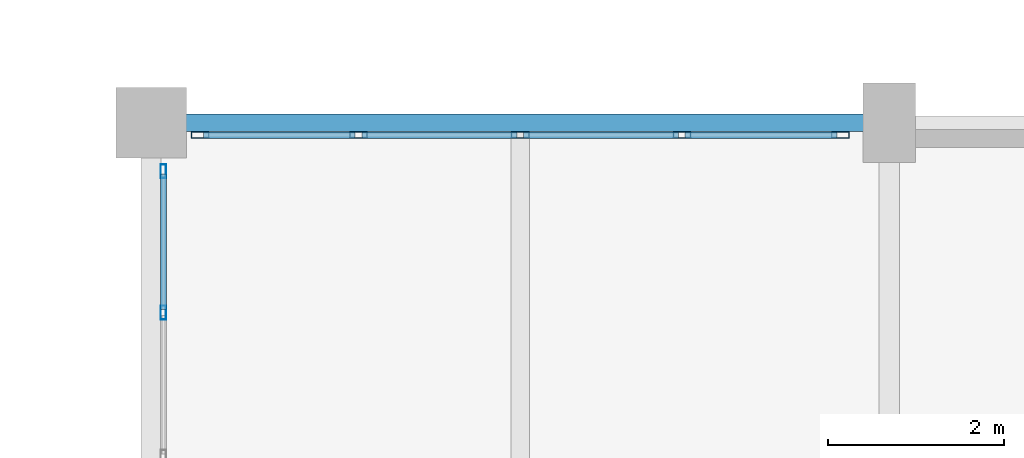
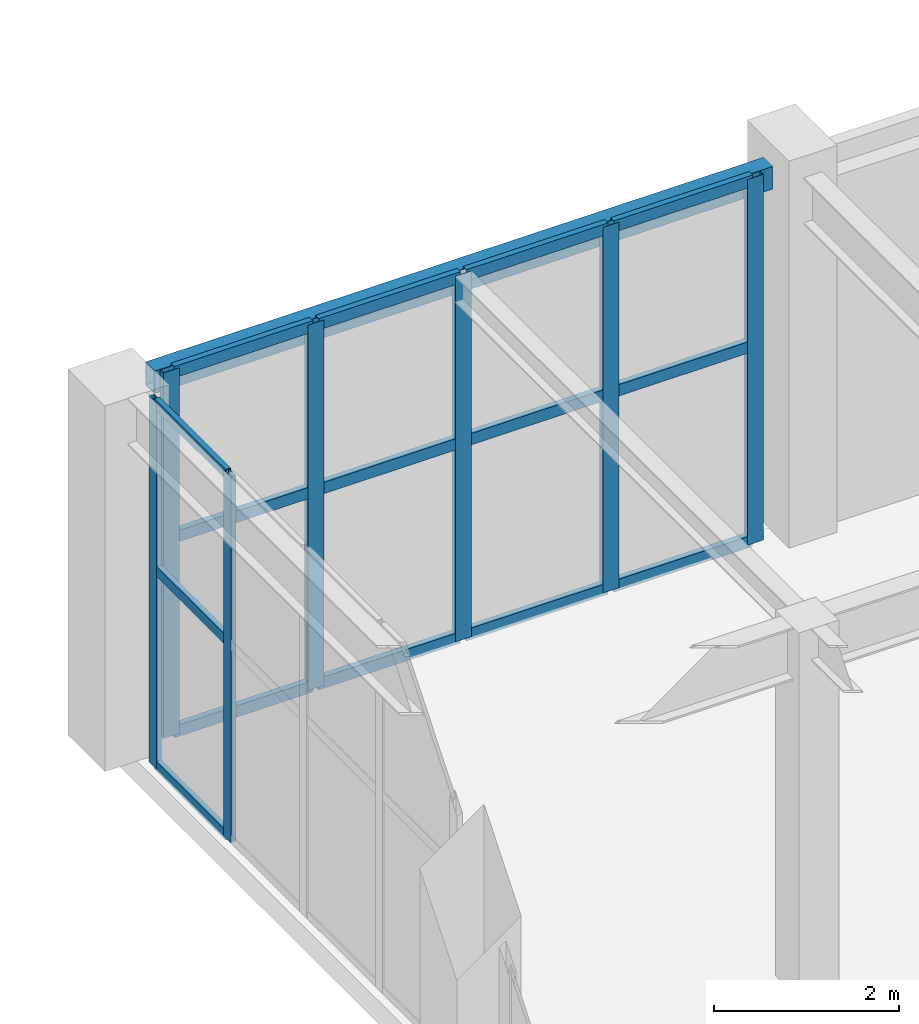
# One storey, part 61 of 128: 22 members, 1 beam, 2 elements without a shape of their own.
"""IFC4 building model written with IfcOpenShell, lengths in metres."""

from ifc_helpers import new_model, si_unit, direction, frame, origin, origin_2d, place, context, subcontext, project, spatial, hollow_rectangle, extrude, material, layer, layer_set, material_profile, profile_set, type_object, element, aggregate, save


model = new_model("IFC4")

# Units and contexts
model_context = context("Model", 3, precision=1e-05, world=origin(), true_north=direction((0.0, 1.0)))
body_context = subcontext(model_context, "Body", "Model", "MODEL_VIEW")
ifc_project = project(units=[si_unit("LENGTHUNIT", "METRE"), si_unit("AREAUNIT", "SQUARE_METRE"), si_unit("VOLUMEUNIT", "CUBIC_METRE"), si_unit("PLANEANGLEUNIT", "RADIAN"), si_unit("MASSUNIT", "GRAM", prefix="KILO")], contexts=[model_context])

# Site, building, storey
site_placement = place(None, origin())
site = spatial("IfcSite", under=ifc_project, at=site_placement, CompositionType="ELEMENT")
building_placement = place(site_placement, origin())
building = spatial("IfcBuilding", under=site, at=building_placement, Name="Xicomal Pleat Aquarium", CompositionType="ELEMENT")
storey_placement = place(building_placement, frame((0.0, 0.0, 5.39990234375)))
storey = spatial("IfcBuildingStorey", under=building, at=storey_placement, Name="L02", CompositionType="ELEMENT", Elevation=5.39990234375)

# Beam
ifc_material_1 = material(Name="Structural steel A500 Gr C", Category="steel")
ifc_material_profile_1 = material_profile(ifc_material_1, hollow_rectangle(XDim=0.199951171875, YDim=0.300048828125, WallThickness=0.011962890625, at=origin_2d()), Name="OR 300x200x12")
ifc_profile_set_1 = profile_set([ifc_material_profile_1], Name="Structural steel A500 Gr C")
beam_type = type_object("IfcBeamType", Name="BM-STL-OR300", PredefinedType="SPANDREL", material=ifc_profile_set_1)
beam_placement = place(storey_placement, frame((44.195068359375, 83.60009765625, 4.670166015625), z_axis=(1.0, 0.0, 0.0), x_axis=(0.0, 1.0, 0.0)))
element("IfcBeam", 1, at=beam_placement, inside=storey, type_object=beam_type, Name="L02 framing beam FGX-L02-06-07-M", PredefinedType="SPANDREL", context=body_context, shape_type="SweptSolid", body=[
    extrude(hollow_rectangle(XDim=0.199951171875, YDim=0.300048828125, WallThickness=0.011962890625, at=origin_2d()), origin(), (0.0, 0.0, 1.0), 7.7099609375),
])

# Curtain wall, members
ifc_material_2 = material(Name="Bronze anodized aluminium 6063-T6", Category="aluminium")
ifc_layer_1 = layer(ifc_material_2, 0.159912109375)
ifc_layer_set_1 = layer_set([ifc_layer_1], Name="Bronze anodized aluminium 6063-T6")
curtain_wall_type_1 = type_object("IfcCurtainWallType", Name="CW-SYS-02", PredefinedType="NOTDEFINED", material=ifc_layer_set_1)
curtain_wall_1_placement = place(storey_placement, origin())
curtain_wall_1 = element("IfcCurtainWall", 2, at=curtain_wall_1_placement, inside=storey, type_object=curtain_wall_type_1, Name="L02 unitised curtain wall CW-L02-102", PredefinedType="NOTDEFINED")
ifc_material_3 = material(Name="Bronze anodized aluminium 6063-T6", Category="aluminium")
ifc_material_profile_2 = material_profile(ifc_material_3, hollow_rectangle(XDim=0.06494140625, YDim=0.159912109375, WallThickness=0.00390625, at=origin_2d()), Name="ALU MULL 65x160")
ifc_profile_set_2 = profile_set([ifc_material_profile_2], Name="Bronze anodized aluminium 6063-T6")
member_type_1 = type_object("IfcMemberType", Name="CWM-65x160", PredefinedType="MULLION", material=ifc_profile_set_2)
member_1_placement = place(storey_placement, frame((43.93994140625, 81.43994140625, 0.0), z_axis=(0.0, 0.0, 1.0), x_axis=(-1.0, 0.0, 0.0)))
member_1 = element("IfcMember", 3, at=member_1_placement, type_object=member_type_1, Name="CW-02 mullion 4", PredefinedType="MULLION", context=body_context, shape_type="SweptSolid", body=[
    extrude(hollow_rectangle(XDim=0.06494140625, YDim=0.159912109375, WallThickness=0.00390625, at=origin_2d()), origin(), (0.0, 0.0, 1.0), 4.820068359375),
])
member_2_placement = place(storey_placement, frame((43.93994140625, 83.047607421875, 0.0), z_axis=(0.0, 0.0, 1.0), x_axis=(-1.0, 0.0, 0.0)))
member_2 = element("IfcMember", 4, at=member_2_placement, type_object=member_type_1, Name="CW-02 mullion 5", PredefinedType="MULLION", context=body_context, shape_type="SweptSolid", body=[
    extrude(hollow_rectangle(XDim=0.06494140625, YDim=0.159912109375, WallThickness=0.00390625, at=origin_2d()), origin(), (0.0, 0.0, 1.0), 4.820068359375),
])

ifc_material_4 = material(Name="Bronze anodized aluminium 6063-T6", Category="aluminium")
ifc_layer_2 = layer(ifc_material_4, 0.159912109375)
ifc_layer_set_2 = layer_set([ifc_layer_2], Name="Bronze anodized aluminium 6063-T6")
curtain_wall_type_2 = type_object("IfcCurtainWallType", Name="CW-SYS-07", PredefinedType="NOTDEFINED", material=ifc_layer_set_2)
curtain_wall_2_placement = place(storey_placement, origin())
curtain_wall_2 = element("IfcCurtainWall", 5, at=curtain_wall_2_placement, inside=storey, type_object=curtain_wall_type_2, Name="L02 unitised curtain wall CW-L02-103", PredefinedType="NOTDEFINED")
ifc_material_5 = material(Name="Bronze anodized aluminium 6063-T6", Category="aluminium")
ifc_material_profile_3 = material_profile(ifc_material_5, hollow_rectangle(XDim=0.074951171875, YDim=0.199951171875, WallThickness=0.00439453125, at=origin_2d()), Name="ALU MULL 75x200")
ifc_profile_set_3 = profile_set([ifc_material_profile_3], Name="Bronze anodized aluminium 6063-T6")
member_type_2 = type_object("IfcMemberType", Name="CWM-75x200", PredefinedType="MULLION", material=ifc_profile_set_3)
member_3_placement = place(storey_placement, frame((44.357421875, 83.4599609375, 0.0), z_axis=(0.0, 0.0, 1.0), x_axis=(0.0, 1.0, 0.0)))
member_3 = element("IfcMember", 6, at=member_3_placement, type_object=member_type_2, Name="CW-07 mullion 1", PredefinedType="MULLION", context=body_context, shape_type="SweptSolid", body=[
    extrude(hollow_rectangle(XDim=0.074951171875, YDim=0.199951171875, WallThickness=0.00439453125, at=origin_2d()), origin(), (0.0, 0.0, 1.0), 4.820068359375),
])
member_4_placement = place(storey_placement, frame((46.159912109375, 83.4599609375, 0.0), z_axis=(0.0, 0.0, 1.0), x_axis=(0.0, 1.0, 0.0)))
member_4 = element("IfcMember", 7, at=member_4_placement, type_object=member_type_2, Name="CW-07 mullion 2", PredefinedType="MULLION", context=body_context, shape_type="SweptSolid", body=[
    extrude(hollow_rectangle(XDim=0.074951171875, YDim=0.199951171875, WallThickness=0.00439453125, at=origin_2d()), origin(), (0.0, 0.0, 1.0), 4.820068359375),
])
member_5_placement = place(storey_placement, frame((48.0, 83.4599609375, 0.0), z_axis=(0.0, 0.0, 1.0), x_axis=(0.0, 1.0, 0.0)))
member_5 = element("IfcMember", 8, at=member_5_placement, type_object=member_type_2, Name="CW-07 mullion 3", PredefinedType="MULLION", context=body_context, shape_type="SweptSolid", body=[
    extrude(hollow_rectangle(XDim=0.074951171875, YDim=0.199951171875, WallThickness=0.00439453125, at=origin_2d()), origin(), (0.0, 0.0, 1.0), 4.820068359375),
])
member_6_placement = place(storey_placement, frame((49.840087890625, 83.4599609375, 0.0), z_axis=(0.0, 0.0, 1.0), x_axis=(0.0, 1.0, 0.0)))
member_6 = element("IfcMember", 9, at=member_6_placement, type_object=member_type_2, Name="CW-07 mullion 4", PredefinedType="MULLION", context=body_context, shape_type="SweptSolid", body=[
    extrude(hollow_rectangle(XDim=0.074951171875, YDim=0.199951171875, WallThickness=0.00439453125, at=origin_2d()), origin(), (0.0, 0.0, 1.0), 4.820068359375),
])
member_7_placement = place(storey_placement, frame((51.642578125, 83.4599609375, 0.0), z_axis=(0.0, 0.0, 1.0), x_axis=(0.0, 1.0, 0.0)))
member_7 = element("IfcMember", 10, at=member_7_placement, type_object=member_type_2, Name="CW-07 mullion 5", PredefinedType="MULLION", context=body_context, shape_type="SweptSolid", body=[
    extrude(hollow_rectangle(XDim=0.074951171875, YDim=0.199951171875, WallThickness=0.00439453125, at=origin_2d()), origin(), (0.0, 0.0, 1.0), 4.820068359375),
])

# Member
ifc_material_6 = material(Name="Bronze anodized aluminium 6063-T6", Category="aluminium")
ifc_material_profile_4 = material_profile(ifc_material_6, hollow_rectangle(XDim=0.06494140625, YDim=0.1298828125, WallThickness=0.00390625, at=origin_2d()), Name="ALU TRAN 65x130")
ifc_profile_set_4 = profile_set([ifc_material_profile_4], Name="Bronze anodized aluminium 6063-T6")
member_type_3 = type_object("IfcMemberType", Name="CWT-65x130", PredefinedType="USERDEFINED", material=ifc_profile_set_4)
member_8_placement = place(storey_placement, frame((43.93994140625, 81.472412109375, 0.03271484375), z_axis=(0.0, 1.0, 0.0), x_axis=(-1.0, 0.0, 0.0)))
member_8 = element("IfcMember", 11, at=member_8_placement, type_object=member_type_3, Name="CW-02 transom 4.1", ObjectType="TRANSOM", PredefinedType="USERDEFINED", context=body_context, shape_type="SweptSolid", body=[
    extrude(hollow_rectangle(XDim=0.06494140625, YDim=0.1298828125, WallThickness=0.00390625, at=origin_2d()), origin(), (0.0, 0.0, 1.0), 1.54248046875),
])

member_9_placement = place(storey_placement, frame((43.93994140625, 81.472412109375, 2.60302734375), z_axis=(0.0, 1.0, 0.0), x_axis=(-1.0, 0.0, 0.0)))
member_9 = element("IfcMember", 12, at=member_9_placement, type_object=member_type_3, Name="CW-02 transom 4.2", ObjectType="TRANSOM", PredefinedType="USERDEFINED", context=body_context, shape_type="SweptSolid", body=[
    extrude(hollow_rectangle(XDim=0.06494140625, YDim=0.1298828125, WallThickness=0.00390625, at=origin_2d()), origin(), (0.0, 0.0, 1.0), 1.54248046875),
])

member_10_placement = place(storey_placement, frame((43.93994140625, 81.472412109375, 4.78759765625), z_axis=(0.0, 1.0, 0.0), x_axis=(-1.0, 0.0, 0.0)))
member_10 = element("IfcMember", 13, at=member_10_placement, type_object=member_type_3, Name="CW-02 transom 4.3", ObjectType="TRANSOM", PredefinedType="USERDEFINED", context=body_context, shape_type="SweptSolid", body=[
    extrude(hollow_rectangle(XDim=0.06494140625, YDim=0.1298828125, WallThickness=0.00390625, at=origin_2d()), origin(), (0.0, 0.0, 1.0), 1.54248046875),
])

aggregate(curtain_wall_1, [member_1, member_2, member_8, member_9, member_10])

ifc_material_7 = material(Name="Bronze anodized aluminium 6063-T6", Category="aluminium")
ifc_material_profile_5 = material_profile(ifc_material_7, hollow_rectangle(XDim=0.074951171875, YDim=0.14990234375, WallThickness=0.00439453125, at=origin_2d()), Name="ALU TRAN 75x150")
ifc_profile_set_5 = profile_set([ifc_material_profile_5], Name="Bronze anodized aluminium 6063-T6")
member_type_4 = type_object("IfcMemberType", Name="CWT-75x150", PredefinedType="USERDEFINED", material=ifc_profile_set_5)
member_11_placement = place(storey_placement, frame((44.39501953125, 83.4599609375, 0.03759765625), z_axis=(1.0, 0.0, 0.0), x_axis=(0.0, 1.0, 0.0)))
member_11 = element("IfcMember", 14, at=member_11_placement, type_object=member_type_4, Name="CW-07 transom 1.1", ObjectType="TRANSOM", PredefinedType="USERDEFINED", context=body_context, shape_type="SweptSolid", body=[
    extrude(hollow_rectangle(XDim=0.074951171875, YDim=0.14990234375, WallThickness=0.00439453125, at=origin_2d()), origin(), (0.0, 0.0, 1.0), 1.7275390625),
])

member_12_placement = place(storey_placement, frame((44.39501953125, 83.4599609375, 2.60302734375), z_axis=(1.0, 0.0, 0.0), x_axis=(0.0, 1.0, 0.0)))
member_12 = element("IfcMember", 15, at=member_12_placement, type_object=member_type_4, Name="CW-07 transom 1.2", ObjectType="TRANSOM", PredefinedType="USERDEFINED", context=body_context, shape_type="SweptSolid", body=[
    extrude(hollow_rectangle(XDim=0.074951171875, YDim=0.14990234375, WallThickness=0.00439453125, at=origin_2d()), origin(), (0.0, 0.0, 1.0), 1.7275390625),
])

member_13_placement = place(storey_placement, frame((44.39501953125, 83.4599609375, 4.78271484375), z_axis=(1.0, 0.0, 0.0), x_axis=(0.0, 1.0, 0.0)))
member_13 = element("IfcMember", 16, at=member_13_placement, type_object=member_type_4, Name="CW-07 transom 1.3", ObjectType="TRANSOM", PredefinedType="USERDEFINED", context=body_context, shape_type="SweptSolid", body=[
    extrude(hollow_rectangle(XDim=0.074951171875, YDim=0.14990234375, WallThickness=0.00439453125, at=origin_2d()), origin(), (0.0, 0.0, 1.0), 1.7275390625),
])

member_14_placement = place(storey_placement, frame((46.197509765625, 83.4599609375, 0.03759765625), z_axis=(1.0, 0.0, 0.0), x_axis=(0.0, 1.0, 0.0)))
member_14 = element("IfcMember", 17, at=member_14_placement, type_object=member_type_4, Name="CW-07 transom 2.1", ObjectType="TRANSOM", PredefinedType="USERDEFINED", context=body_context, shape_type="SweptSolid", body=[
    extrude(hollow_rectangle(XDim=0.074951171875, YDim=0.14990234375, WallThickness=0.00439453125, at=origin_2d()), origin(), (0.0, 0.0, 1.0), 1.764892578125),
])

member_15_placement = place(storey_placement, frame((46.197509765625, 83.4599609375, 2.60302734375), z_axis=(1.0, 0.0, 0.0), x_axis=(0.0, 1.0, 0.0)))
member_15 = element("IfcMember", 18, at=member_15_placement, type_object=member_type_4, Name="CW-07 transom 2.2", ObjectType="TRANSOM", PredefinedType="USERDEFINED", context=body_context, shape_type="SweptSolid", body=[
    extrude(hollow_rectangle(XDim=0.074951171875, YDim=0.14990234375, WallThickness=0.00439453125, at=origin_2d()), origin(), (0.0, 0.0, 1.0), 1.764892578125),
])

member_16_placement = place(storey_placement, frame((46.197509765625, 83.4599609375, 4.78271484375), z_axis=(1.0, 0.0, 0.0), x_axis=(0.0, 1.0, 0.0)))
member_16 = element("IfcMember", 19, at=member_16_placement, type_object=member_type_4, Name="CW-07 transom 2.3", ObjectType="TRANSOM", PredefinedType="USERDEFINED", context=body_context, shape_type="SweptSolid", body=[
    extrude(hollow_rectangle(XDim=0.074951171875, YDim=0.14990234375, WallThickness=0.00439453125, at=origin_2d()), origin(), (0.0, 0.0, 1.0), 1.764892578125),
])

member_17_placement = place(storey_placement, frame((48.03759765625, 83.4599609375, 0.03759765625), z_axis=(1.0, 0.0, 0.0), x_axis=(0.0, 1.0, 0.0)))
member_17 = element("IfcMember", 20, at=member_17_placement, type_object=member_type_4, Name="CW-07 transom 3.1", ObjectType="TRANSOM", PredefinedType="USERDEFINED", context=body_context, shape_type="SweptSolid", body=[
    extrude(hollow_rectangle(XDim=0.074951171875, YDim=0.14990234375, WallThickness=0.00439453125, at=origin_2d()), origin(), (0.0, 0.0, 1.0), 1.764892578125),
])

member_18_placement = place(storey_placement, frame((48.03759765625, 83.4599609375, 2.60302734375), z_axis=(1.0, 0.0, 0.0), x_axis=(0.0, 1.0, 0.0)))
member_18 = element("IfcMember", 21, at=member_18_placement, type_object=member_type_4, Name="CW-07 transom 3.2", ObjectType="TRANSOM", PredefinedType="USERDEFINED", context=body_context, shape_type="SweptSolid", body=[
    extrude(hollow_rectangle(XDim=0.074951171875, YDim=0.14990234375, WallThickness=0.00439453125, at=origin_2d()), origin(), (0.0, 0.0, 1.0), 1.764892578125),
])

member_19_placement = place(storey_placement, frame((48.03759765625, 83.4599609375, 4.78271484375), z_axis=(1.0, 0.0, 0.0), x_axis=(0.0, 1.0, 0.0)))
member_19 = element("IfcMember", 22, at=member_19_placement, type_object=member_type_4, Name="CW-07 transom 3.3", ObjectType="TRANSOM", PredefinedType="USERDEFINED", context=body_context, shape_type="SweptSolid", body=[
    extrude(hollow_rectangle(XDim=0.074951171875, YDim=0.14990234375, WallThickness=0.00439453125, at=origin_2d()), origin(), (0.0, 0.0, 1.0), 1.764892578125),
])

member_20_placement = place(storey_placement, frame((49.87744140625, 83.4599609375, 0.03759765625), z_axis=(1.0, 0.0, 0.0), x_axis=(0.0, 1.0, 0.0)))
member_20 = element("IfcMember", 23, at=member_20_placement, type_object=member_type_4, Name="CW-07 transom 4.1", ObjectType="TRANSOM", PredefinedType="USERDEFINED", context=body_context, shape_type="SweptSolid", body=[
    extrude(hollow_rectangle(XDim=0.074951171875, YDim=0.14990234375, WallThickness=0.00439453125, at=origin_2d()), origin(), (0.0, 0.0, 1.0), 1.7275390625),
])

member_21_placement = place(storey_placement, frame((49.87744140625, 83.4599609375, 2.60302734375), z_axis=(1.0, 0.0, 0.0), x_axis=(0.0, 1.0, 0.0)))
member_21 = element("IfcMember", 24, at=member_21_placement, type_object=member_type_4, Name="CW-07 transom 4.2", ObjectType="TRANSOM", PredefinedType="USERDEFINED", context=body_context, shape_type="SweptSolid", body=[
    extrude(hollow_rectangle(XDim=0.074951171875, YDim=0.14990234375, WallThickness=0.00439453125, at=origin_2d()), origin(), (0.0, 0.0, 1.0), 1.7275390625),
])

member_22_placement = place(storey_placement, frame((49.87744140625, 83.4599609375, 4.78271484375), z_axis=(1.0, 0.0, 0.0), x_axis=(0.0, 1.0, 0.0)))
member_22 = element("IfcMember", 25, at=member_22_placement, type_object=member_type_4, Name="CW-07 transom 4.3", ObjectType="TRANSOM", PredefinedType="USERDEFINED", context=body_context, shape_type="SweptSolid", body=[
    extrude(hollow_rectangle(XDim=0.074951171875, YDim=0.14990234375, WallThickness=0.00439453125, at=origin_2d()), origin(), (0.0, 0.0, 1.0), 1.7275390625),
])

aggregate(curtain_wall_2, [member_3, member_4, member_5, member_6, member_7, member_11, member_12, member_13, member_14, member_15, member_16, member_17, member_18, member_19, member_20, member_21, member_22])

save(model, "model.ifc")
